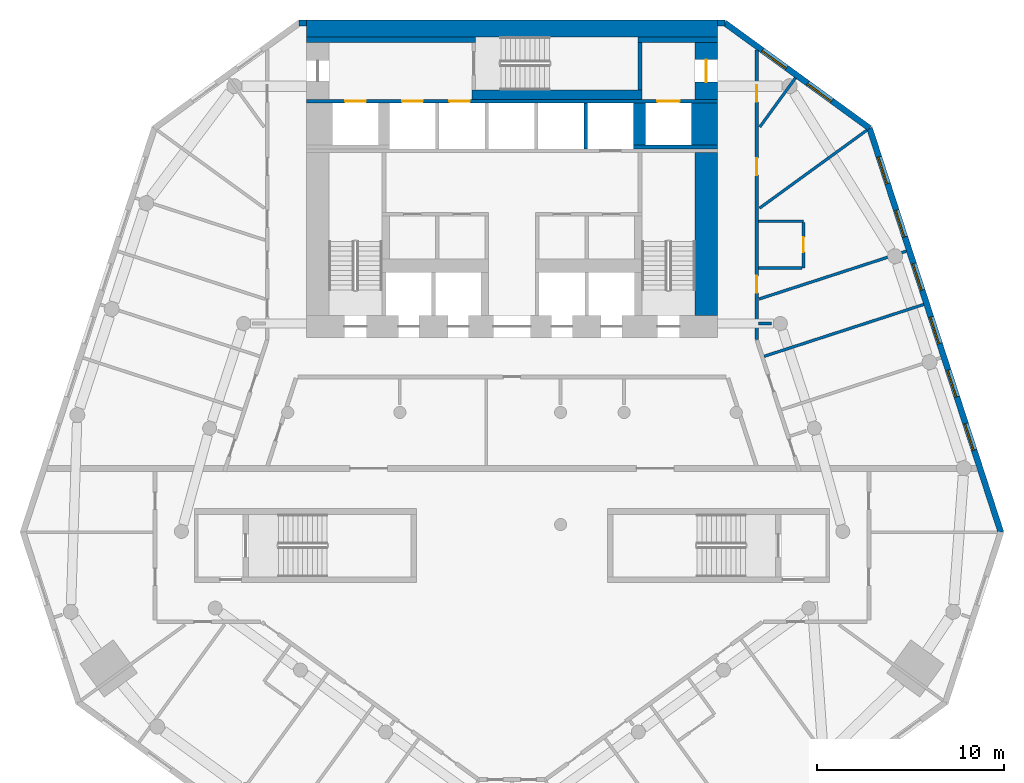
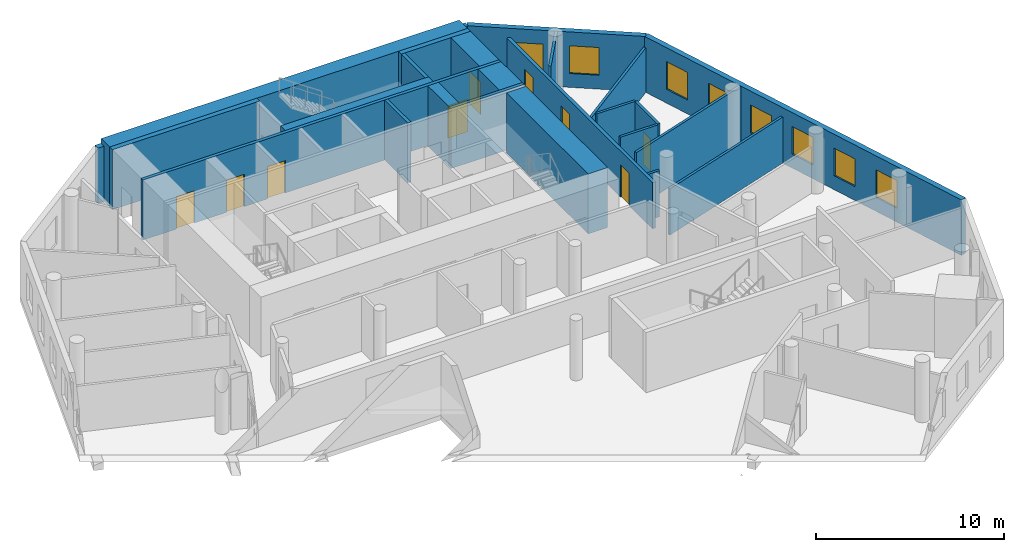
# One storey, part 6 of 9: 25 walls, 9 doors, 8 windows, 17 openings.
"""IFC4 building model written with IfcOpenShell, lengths in metres."""

from ifc_helpers import new_model, si_unit, direction, frame, frame_2d, origin, place, context, subcontext, project, spatial, rectangle, extrude, material, layer, layer_set, type_object, element, fill, save


model = new_model("IFC4")

# Units and contexts
model_context = context("Model", 3, precision=1e-05, world=origin(), true_north=direction((0.0, 1.0)))
body_context = subcontext(model_context, "Body", "Model", "MODEL_VIEW")
ifc_project = project(units=[si_unit("LENGTHUNIT", "METRE"), si_unit("AREAUNIT", "SQUARE_METRE"), si_unit("VOLUMEUNIT", "CUBIC_METRE"), si_unit("PLANEANGLEUNIT", "RADIAN"), si_unit("MASSUNIT", "GRAM", prefix="KILO")], contexts=[model_context])

# Site, building, storey
site_placement = place(None, origin())
site = spatial("IfcSite", under=ifc_project, at=site_placement, CompositionType="ELEMENT")
building_placement = place(site_placement, origin())
building = spatial("IfcBuilding", under=site, at=building_placement, Name="White Candle Pilgrim Tower", CompositionType="ELEMENT")
storey_placement = place(building_placement, frame((0.0, 0.0, 50.699951171875)))
storey = spatial("IfcBuildingStorey", under=building, at=storey_placement, Name="L09", CompositionType="ELEMENT", Elevation=50.699951171875)

# Wall, opening, door
ifc_material_1 = material(Name="Concrete C70/85", Category="concrete")
ifc_layer_1 = layer(ifc_material_1, 1.199951171875)
ifc_layer_set_1 = layer_set([ifc_layer_1], Name="Core wall 1200 mm Concrete C70/85")
wall_type_1 = type_object("IfcWallType", Name="Core wall 1200 mm Concrete C70/85", PredefinedType="SHEAR", material=ifc_layer_set_1)
wall_1_placement = place(storey_placement, frame((80.39990234375, 83.75, 0.0), z_axis=(0.0, 0.0, 1.0), x_axis=(0.0, 1.0, 0.0)))
wall_1 = element("IfcWall", 1, at=wall_1_placement, inside=storey, type_object=wall_type_1, Name="WL-L09-C46", PredefinedType="SHEAR", context=body_context, shape_type="SweptSolid", body=[
    extrude(rectangle(XDim=3.050048828125, YDim=1.199951171875, at=frame_2d((1.52490234375, 0.0))), origin(), (0.0, 0.0, 1.0), 3.900146484375),
])
opening_1_placement = place(wall_1_placement, frame((0.925048828125, 0.0, 0.0)))
opening_1 = element("IfcOpeningElement", 2, at=opening_1_placement, cuts=wall_1, Name="Opening T02-006", PredefinedType="OPENING", context=body_context, shape_type="SweptSolid", body=[
    extrude(rectangle(XDim=1.199951171875, YDim=2.10009765625, at=frame_2d((0.60009765625, 1.050048828125))), frame((0.0, 0.60986328125, 0.0), z_axis=(0.0, -1.0, 0.0), x_axis=(1.0, 0.0, 0.0)), (0.0, 0.0, 1.0), 1.219970703125),
])
ifc_material_2 = material(Name="Steel door leaf", Category="steel")
door_type_1 = type_object("IfcDoorType", Name="Fire door 1200 x 2100 EI 30", OperationType="NOTDEFINED", PredefinedType="DOOR", material=ifc_material_2)
door_1_placement = place(opening_1_placement, origin())
door_1 = element("IfcDoor", 3, at=door_1_placement, inside=storey, type_object=door_type_1, Name="Door T02-006", OperationType="SINGLE_SWING_RIGHT", OverallHeight=2.10009765625, OverallWidth=1.199951171875, PredefinedType="DOOR", context=body_context, shape_type="SweptSolid", body=[
    extrude(rectangle(XDim=1.199951171875, YDim=2.10009765625, at=frame_2d((0.60009765625, 1.050048828125))), frame((0.0, 0.02490234375, 0.0), z_axis=(0.0, -1.0, 0.0), x_axis=(1.0, 0.0, 0.0)), (0.0, 0.0, 1.0), 0.050048828125),
])
fill(opening_1, door_1)

# Walls
ifc_layer_2 = layer(ifc_material_1, 1.39990234375)
ifc_layer_set_2 = layer_set([ifc_layer_2], Name="Core wall 1400 mm Concrete C70/85")
wall_type_2 = type_object("IfcWallType", Name="Core wall 1400 mm Concrete C70/85", PredefinedType="SHEAR", material=ifc_layer_set_2)
wall_2_placement = place(storey_placement, frame((80.300048828125, 81.300048828125, 0.0), z_axis=(0.0, 0.0, 1.0), x_axis=(0.0, 1.0, 0.0)))
element("IfcWall", 4, at=wall_2_placement, inside=storey, type_object=wall_type_2, Name="WL-L09-C42", PredefinedType="SHEAR", context=body_context, shape_type="SweptSolid", body=[
    extrude(rectangle(XDim=2.25, YDim=1.39990234375, at=frame_2d((1.125, 0.0))), origin(), (0.0, 0.0, 1.0), 3.900146484375),
])
ifc_layer_3 = layer(ifc_material_1, 0.199951171875)
ifc_layer_set_3 = layer_set([ifc_layer_3], Name="Core wall 200 mm Concrete C70/85")
wall_type_3 = type_object("IfcWallType", Name="Core wall 200 mm Concrete C70/85", PredefinedType="SHEAR", material=ifc_layer_set_3)
wall_3_placement = place(storey_placement, frame((76.5, 81.199951171875, 0.0), z_axis=(0.0, 0.0, 1.0), x_axis=(1.0, 0.0, 0.0)))
element("IfcWall", 5, at=wall_3_placement, inside=storey, type_object=wall_type_3, Name="WL-L09-C38", PredefinedType="SHEAR", context=body_context, shape_type="SweptSolid", body=[
    extrude(rectangle(XDim=4.5, YDim=0.199951171875, at=frame_2d((2.25, 0.0))), origin(), (0.0, 0.0, 1.0), 3.900146484375),
])

# Wall, openings, doors
wall_4_placement = place(storey_placement, frame((59.0, 83.64990234375, 0.0), z_axis=(0.0, 0.0, 1.0), x_axis=(1.0, 0.0, 0.0)))
wall_4 = element("IfcWall", 6, at=wall_4_placement, inside=storey, type_object=wall_type_3, Name="WL-L09-C43", PredefinedType="SHEAR", context=body_context, shape_type="SweptSolid", body=[
    extrude(rectangle(XDim=22.0, YDim=0.199951171875, at=frame_2d((11.0, 0.0))), origin(), (0.0, 0.0, 1.0), 3.900146484375),
])
opening_2_placement = place(wall_4_placement, frame((5.125, 0.0, 0.0)))
opening_2 = element("IfcOpeningElement", 7, at=opening_2_placement, cuts=wall_4, Name="Opening T02-011", PredefinedType="OPENING", context=body_context, shape_type="SweptSolid", body=[
    extrude(rectangle(XDim=1.10009765625, YDim=2.10009765625, at=frame_2d((0.550048828125, 1.050048828125))), frame((0.0, 0.10986328125, 0.0), z_axis=(0.0, -1.0, 0.0), x_axis=(1.0, 0.0, 0.0)), (0.0, 0.0, 1.0), 0.219970703125),
])
opening_3_placement = place(wall_4_placement, frame((7.64990234375, 0.0, 0.0)))
opening_3 = element("IfcOpeningElement", 8, at=opening_3_placement, cuts=wall_4, Name="Opening T02-012", PredefinedType="OPENING", context=body_context, shape_type="SweptSolid", body=[
    extrude(rectangle(XDim=1.10009765625, YDim=2.10009765625, at=frame_2d((0.550048828125, 1.050048828125))), frame((0.0, 0.10986328125, 0.0), z_axis=(0.0, -1.0, 0.0), x_axis=(1.0, 0.0, 0.0)), (0.0, 0.0, 1.0), 0.219970703125),
])
opening_4_placement = place(wall_4_placement, frame((18.77490234375, 0.0, 0.0)))
opening_4 = element("IfcOpeningElement", 9, at=opening_4_placement, cuts=wall_4, Name="Opening T02-018", PredefinedType="OPENING", context=body_context, shape_type="SweptSolid", body=[
    extrude(rectangle(XDim=1.199951171875, YDim=2.10009765625, at=frame_2d((0.60009765625, 1.050048828125))), frame((0.0, 0.10986328125, 0.0), z_axis=(0.0, -1.0, 0.0), x_axis=(1.0, 0.0, 0.0)), (0.0, 0.0, 1.0), 0.219970703125),
])
opening_5_placement = place(wall_4_placement, frame((2.074951171875, 0.0, 0.0)))
opening_5 = element("IfcOpeningElement", 10, at=opening_5_placement, cuts=wall_4, Name="Opening T02-019", PredefinedType="OPENING", context=body_context, shape_type="SweptSolid", body=[
    extrude(rectangle(XDim=1.10009765625, YDim=2.10009765625, at=frame_2d((0.550048828125, 1.050048828125))), frame((0.0, 0.10986328125, 0.0), z_axis=(0.0, -1.0, 0.0), x_axis=(1.0, 0.0, 0.0)), (0.0, 0.0, 1.0), 0.219970703125),
])
ifc_material_3 = material(Name="Stainless steel", Category="steel")
door_type_2 = type_object("IfcDoorType", Name="Lift landing door 1100 x 2100 EI 60", OperationType="DOUBLE_DOOR_SLIDING", PredefinedType="DOOR", material=ifc_material_3)
door_2_placement = place(opening_2_placement, origin())
door_2 = element("IfcDoor", 11, at=door_2_placement, inside=storey, type_object=door_type_2, Name="Door T02-011", OperationType="DOUBLE_DOOR_SLIDING", OverallHeight=2.10009765625, OverallWidth=1.10009765625, PredefinedType="DOOR", context=body_context, shape_type="SweptSolid", body=[
    extrude(rectangle(XDim=1.10009765625, YDim=2.10009765625, at=frame_2d((0.550048828125, 1.050048828125))), frame((0.0, 0.02490234375, 0.0), z_axis=(0.0, -1.0, 0.0), x_axis=(1.0, 0.0, 0.0)), (0.0, 0.0, 1.0), 0.050048828125),
])
fill(opening_2, door_2)
door_3_placement = place(opening_3_placement, origin())
door_3 = element("IfcDoor", 12, at=door_3_placement, inside=storey, type_object=door_type_2, Name="Door T02-012", OperationType="DOUBLE_DOOR_SLIDING", OverallHeight=2.10009765625, OverallWidth=1.10009765625, PredefinedType="DOOR", context=body_context, shape_type="SweptSolid", body=[
    extrude(rectangle(XDim=1.10009765625, YDim=2.10009765625, at=frame_2d((0.550048828125, 1.050048828125))), frame((0.0, 0.02490234375, 0.0), z_axis=(0.0, -1.0, 0.0), x_axis=(1.0, 0.0, 0.0)), (0.0, 0.0, 1.0), 0.050048828125),
])
fill(opening_3, door_3)
door_4_placement = place(opening_5_placement, origin())
door_4 = element("IfcDoor", 13, at=door_4_placement, inside=storey, type_object=door_type_2, Name="Door T02-019", OperationType="DOUBLE_DOOR_SLIDING", OverallHeight=2.10009765625, OverallWidth=1.10009765625, PredefinedType="DOOR", context=body_context, shape_type="SweptSolid", body=[
    extrude(rectangle(XDim=1.10009765625, YDim=2.10009765625, at=frame_2d((0.550048828125, 1.050048828125))), frame((0.0, 0.02490234375, 0.0), z_axis=(0.0, -1.0, 0.0), x_axis=(1.0, 0.0, 0.0)), (0.0, 0.0, 1.0), 0.050048828125),
])
fill(opening_5, door_4)
door_type_3 = type_object("IfcDoorType", Name="Lift landing door 1200 x 2100 E 60", OperationType="DOUBLE_DOOR_SLIDING", PredefinedType="DOOR", material=ifc_material_3)
door_5_placement = place(opening_4_placement, origin())
door_5 = element("IfcDoor", 14, at=door_5_placement, inside=storey, type_object=door_type_3, Name="Door T02-018", OperationType="DOUBLE_DOOR_SLIDING", OverallHeight=2.10009765625, OverallWidth=1.199951171875, PredefinedType="DOOR", context=body_context, shape_type="SweptSolid", body=[
    extrude(rectangle(XDim=1.199951171875, YDim=2.10009765625, at=frame_2d((0.60009765625, 1.050048828125))), frame((0.0, 0.02490234375, 0.0), z_axis=(0.0, -1.0, 0.0), x_axis=(1.0, 0.0, 0.0)), (0.0, 0.0, 1.0), 0.050048828125),
])
fill(opening_4, door_5)

ifc_material_4 = material(Name="Gypsum board on steel studs", Category="steel")
ifc_layer_4 = layer(ifc_material_4, 0.199951171875)
ifc_layer_set_4 = layer_set([ifc_layer_4], Name="Corridor wall 200 mm EI 45")
wall_type_4 = type_object("IfcWallType", Name="Corridor wall 200 mm EI 45", PredefinedType="PARTITIONING", material=ifc_layer_set_4)
wall_5_placement = place(storey_placement, frame((83.10009765625, 86.396240234375, 0.0), z_axis=(0.0, 0.0, 1.0), x_axis=(0.0, -1.0, 0.0)))
wall_5 = element("IfcWall", 15, at=wall_5_placement, inside=storey, type_object=wall_type_4, Name="WL-L09-P004", PredefinedType="PARTITIONING", context=body_context, shape_type="SweptSolid", body=[
    extrude(rectangle(XDim=15.498779296875, YDim=0.199951171875, at=frame_2d((7.74951171875, 0.0))), origin(), (0.0, 0.0, 1.0), 3.0),
])
opening_6_placement = place(wall_5_placement, frame((1.874755859375, 0.0, 0.0)))
opening_6 = element("IfcOpeningElement", 16, at=opening_6_placement, cuts=wall_5, Name="Opening T02-127", PredefinedType="OPENING", context=body_context, shape_type="SweptSolid", body=[
    extrude(rectangle(XDim=0.89990234375, YDim=2.10009765625, at=frame_2d((0.449951171875, 1.050048828125))), frame((0.0, 0.10986328125, 0.0), z_axis=(0.0, -1.0, 0.0), x_axis=(1.0, 0.0, 0.0)), (0.0, 0.0, 1.0), 0.219970703125),
])
opening_7_placement = place(wall_5_placement, frame((5.79248046875, 0.0, 0.0)))
opening_7 = element("IfcOpeningElement", 17, at=opening_7_placement, cuts=wall_5, Name="Opening T02-128", PredefinedType="OPENING", context=body_context, shape_type="SweptSolid", body=[
    extrude(rectangle(XDim=0.89990234375, YDim=2.10009765625, at=frame_2d((0.449951171875, 1.050048828125))), frame((0.0, 0.10986328125, 0.0), z_axis=(0.0, -1.0, 0.0), x_axis=(1.0, 0.0, 0.0)), (0.0, 0.0, 1.0), 0.219970703125),
])
opening_8_placement = place(wall_5_placement, frame((12.094482421875, 0.0, 0.0)))
opening_8 = element("IfcOpeningElement", 18, at=opening_8_placement, cuts=wall_5, Name="Opening T02-129", PredefinedType="OPENING", context=body_context, shape_type="SweptSolid", body=[
    extrude(rectangle(XDim=0.89990234375, YDim=2.10009765625, at=frame_2d((0.449951171875, 1.050048828125))), frame((0.0, 0.10986328125, 0.0), z_axis=(0.0, -1.0, 0.0), x_axis=(1.0, 0.0, 0.0)), (0.0, 0.0, 1.0), 0.219970703125),
])
door_type_4 = type_object("IfcDoorType", Name="Fire door 900 x 2100 EI 30", OperationType="NOTDEFINED", PredefinedType="DOOR", material=ifc_material_2)
door_6_placement = place(opening_6_placement, origin())
door_6 = element("IfcDoor", 19, at=door_6_placement, inside=storey, type_object=door_type_4, Name="Door T02-127", OperationType="SINGLE_SWING_LEFT", OverallHeight=2.10009765625, OverallWidth=0.89990234375, PredefinedType="DOOR", context=body_context, shape_type="SweptSolid", body=[
    extrude(rectangle(XDim=0.89990234375, YDim=2.10009765625, at=frame_2d((0.449951171875, 1.050048828125))), frame((0.0, 0.02490234375, 0.0), z_axis=(0.0, -1.0, 0.0), x_axis=(1.0, 0.0, 0.0)), (0.0, 0.0, 1.0), 0.050048828125),
])
fill(opening_6, door_6)
door_7_placement = place(opening_7_placement, origin())
door_7 = element("IfcDoor", 20, at=door_7_placement, inside=storey, type_object=door_type_4, Name="Door T02-128", OperationType="SINGLE_SWING_RIGHT", OverallHeight=2.10009765625, OverallWidth=0.89990234375, PredefinedType="DOOR", context=body_context, shape_type="SweptSolid", body=[
    extrude(rectangle(XDim=0.89990234375, YDim=2.10009765625, at=frame_2d((0.449951171875, 1.050048828125))), frame((0.0, 0.02490234375, 0.0), z_axis=(0.0, -1.0, 0.0), x_axis=(1.0, 0.0, 0.0)), (0.0, 0.0, 1.0), 0.050048828125),
])
fill(opening_7, door_7)
door_8_placement = place(opening_8_placement, origin())
door_8 = element("IfcDoor", 21, at=door_8_placement, inside=storey, type_object=door_type_4, Name="Door T02-129", OperationType="SINGLE_SWING_LEFT", OverallHeight=2.10009765625, OverallWidth=0.89990234375, PredefinedType="DOOR", context=body_context, shape_type="SweptSolid", body=[
    extrude(rectangle(XDim=0.89990234375, YDim=2.10009765625, at=frame_2d((0.449951171875, 1.050048828125))), frame((0.0, 0.02490234375, 0.0), z_axis=(0.0, -1.0, 0.0), x_axis=(1.0, 0.0, 0.0)), (0.0, 0.0, 1.0), 0.050048828125),
])
fill(opening_8, door_8)

# Wall, openings, windows
ifc_material_5 = material(Name="Precast concrete C40/50", Category="concrete")
ifc_layer_5 = layer(ifc_material_5, 0.320068359375)
ifc_layer_set_5 = layer_set([ifc_layer_5], Name="Facade wall EW1 precast concrete C40/50 pier wall with timber-lined reveals")
wall_type_5 = type_object("IfcWallType", Name="Facade wall EW1 precast concrete C40/50 pier wall with timber-lined reveals", PredefinedType="SOLIDWALL", material=ifc_layer_set_5)
wall_6_placement = place(storey_placement, frame((96.1591796875, 60.59130859375, 0.0), z_axis=(0.0, 0.0, 1.0), x_axis=(-0.309017098694, 0.9510564824, 0.0)))
wall_6 = element("IfcWall", 22, at=wall_6_placement, inside=storey, type_object=wall_type_5, Name="Facade wall L09 ENE", PredefinedType="SOLIDWALL", context=body_context, shape_type="SweptSolid", body=[
    extrude(rectangle(XDim=22.730712890625, YDim=0.320068359375, at=frame_2d((11.365234375, 0.0))), origin(), (0.0, 0.0, 1.0), 3.60009765625),
])
opening_9_placement = place(wall_6_placement, frame((4.615478515625, 0.0, 0.89990234375)))
opening_9 = element("IfcOpeningElement", 23, at=opening_9_placement, cuts=wall_6, Name="Opening W1", PredefinedType="OPENING", context=body_context, shape_type="SweptSolid", body=[
    extrude(rectangle(XDim=1.5, YDim=1.800048828125, at=frame_2d((0.75, 0.89990234375))), frame((0.0, 0.169921875, 0.0), z_axis=(0.0, -1.0, 0.0), x_axis=(1.0, 0.0, 0.0)), (0.0, 0.0, 1.0), 0.340087890625),
])
opening_10_placement = place(wall_6_placement, frame((7.615478515625, 0.0, 0.89990234375)))
opening_10 = element("IfcOpeningElement", 24, at=opening_10_placement, cuts=wall_6, Name="Opening W1", PredefinedType="OPENING", context=body_context, shape_type="SweptSolid", body=[
    extrude(rectangle(XDim=1.5, YDim=1.800048828125, at=frame_2d((0.75, 0.89990234375))), frame((0.0, 0.169921875, 0.0), z_axis=(0.0, -1.0, 0.0), x_axis=(1.0, 0.0, 0.0)), (0.0, 0.0, 1.0), 0.340087890625),
])
opening_11_placement = place(wall_6_placement, frame((10.615478515625, 0.0, 0.89990234375)))
opening_11 = element("IfcOpeningElement", 25, at=opening_11_placement, cuts=wall_6, Name="Opening W1", PredefinedType="OPENING", context=body_context, shape_type="SweptSolid", body=[
    extrude(rectangle(XDim=1.5, YDim=1.800048828125, at=frame_2d((0.75, 0.89990234375))), frame((0.0, 0.169921875, 0.0), z_axis=(0.0, -1.0, 0.0), x_axis=(1.0, 0.0, 0.0)), (0.0, 0.0, 1.0), 0.340087890625),
])
opening_12_placement = place(wall_6_placement, frame((13.615478515625, 0.0, 0.89990234375)))
opening_12 = element("IfcOpeningElement", 26, at=opening_12_placement, cuts=wall_6, Name="Opening W1", PredefinedType="OPENING", context=body_context, shape_type="SweptSolid", body=[
    extrude(rectangle(XDim=1.5, YDim=1.800048828125, at=frame_2d((0.75, 0.89990234375))), frame((0.0, 0.169921875, 0.0), z_axis=(0.0, -1.0, 0.0), x_axis=(1.0, 0.0, 0.0)), (0.0, 0.0, 1.0), 0.340087890625),
])
opening_13_placement = place(wall_6_placement, frame((16.615478515625, 0.0, 0.89990234375)))
opening_13 = element("IfcOpeningElement", 27, at=opening_13_placement, cuts=wall_6, Name="Opening W1", PredefinedType="OPENING", context=body_context, shape_type="SweptSolid", body=[
    extrude(rectangle(XDim=1.5, YDim=1.800048828125, at=frame_2d((0.75, 0.89990234375))), frame((0.0, 0.169921875, 0.0), z_axis=(0.0, -1.0, 0.0), x_axis=(1.0, 0.0, 0.0)), (0.0, 0.0, 1.0), 0.340087890625),
])
opening_14_placement = place(wall_6_placement, frame((19.615478515625, 0.0, 0.89990234375)))
opening_14 = element("IfcOpeningElement", 28, at=opening_14_placement, cuts=wall_6, Name="Opening W1", PredefinedType="OPENING", context=body_context, shape_type="SweptSolid", body=[
    extrude(rectangle(XDim=1.5, YDim=1.800048828125, at=frame_2d((0.75, 0.89990234375))), frame((0.0, 0.169921875, 0.0), z_axis=(0.0, -1.0, 0.0), x_axis=(1.0, 0.0, 0.0)), (0.0, 0.0, 1.0), 0.340087890625),
])
ifc_material_6 = material(Name="Timber frame with triple glazing", Category="wood")
window_type_1 = type_object("IfcWindowType", Name="Window W1 1500x1800 timber frame triple glazing", PartitioningType="SINGLE_PANEL", PredefinedType="WINDOW", material=ifc_material_6)
window_1_placement = place(opening_9_placement, origin())
window_1 = element("IfcWindow", 29, at=window_1_placement, inside=storey, type_object=window_type_1, Name="Window W1 L09 ENE 2", OverallHeight=1.800048828125, OverallWidth=1.5, PartitioningType="SINGLE_PANEL", PredefinedType="WINDOW", context=body_context, shape_type="SweptSolid", body=[
    extrude(rectangle(XDim=1.5, YDim=1.800048828125, at=frame_2d((0.75, 0.89990234375))), frame((0.0, 0.070068359375, 0.0), z_axis=(0.0, -1.0, 0.0), x_axis=(1.0, 0.0, 0.0)), (0.0, 0.0, 1.0), 0.06005859375),
])
fill(opening_9, window_1)
window_2_placement = place(opening_10_placement, origin())
window_2 = element("IfcWindow", 30, at=window_2_placement, inside=storey, type_object=window_type_1, Name="Window W1 L09 ENE 3", OverallHeight=1.800048828125, OverallWidth=1.5, PartitioningType="SINGLE_PANEL", PredefinedType="WINDOW", context=body_context, shape_type="SweptSolid", body=[
    extrude(rectangle(XDim=1.5, YDim=1.800048828125, at=frame_2d((0.75, 0.89990234375))), frame((0.0, 0.070068359375, 0.0), z_axis=(0.0, -1.0, 0.0), x_axis=(1.0, 0.0, 0.0)), (0.0, 0.0, 1.0), 0.06005859375),
])
fill(opening_10, window_2)
window_3_placement = place(opening_11_placement, origin())
window_3 = element("IfcWindow", 31, at=window_3_placement, inside=storey, type_object=window_type_1, Name="Window W1 L09 ENE 4", OverallHeight=1.800048828125, OverallWidth=1.5, PartitioningType="SINGLE_PANEL", PredefinedType="WINDOW", context=body_context, shape_type="SweptSolid", body=[
    extrude(rectangle(XDim=1.5, YDim=1.800048828125, at=frame_2d((0.75, 0.89990234375))), frame((0.0, 0.070068359375, 0.0), z_axis=(0.0, -1.0, 0.0), x_axis=(1.0, 0.0, 0.0)), (0.0, 0.0, 1.0), 0.06005859375),
])
fill(opening_11, window_3)
window_4_placement = place(opening_12_placement, origin())
window_4 = element("IfcWindow", 32, at=window_4_placement, inside=storey, type_object=window_type_1, Name="Window W1 L09 ENE 5", OverallHeight=1.800048828125, OverallWidth=1.5, PartitioningType="SINGLE_PANEL", PredefinedType="WINDOW", context=body_context, shape_type="SweptSolid", body=[
    extrude(rectangle(XDim=1.5, YDim=1.800048828125, at=frame_2d((0.75, 0.89990234375))), frame((0.0, 0.070068359375, 0.0), z_axis=(0.0, -1.0, 0.0), x_axis=(1.0, 0.0, 0.0)), (0.0, 0.0, 1.0), 0.06005859375),
])
fill(opening_12, window_4)
window_5_placement = place(opening_13_placement, origin())
window_5 = element("IfcWindow", 33, at=window_5_placement, inside=storey, type_object=window_type_1, Name="Window W1 L09 ENE 6", OverallHeight=1.800048828125, OverallWidth=1.5, PartitioningType="SINGLE_PANEL", PredefinedType="WINDOW", context=body_context, shape_type="SweptSolid", body=[
    extrude(rectangle(XDim=1.5, YDim=1.800048828125, at=frame_2d((0.75, 0.89990234375))), frame((0.0, 0.070068359375, 0.0), z_axis=(0.0, -1.0, 0.0), x_axis=(1.0, 0.0, 0.0)), (0.0, 0.0, 1.0), 0.06005859375),
])
fill(opening_13, window_5)
window_6_placement = place(opening_14_placement, origin())
window_6 = element("IfcWindow", 34, at=window_6_placement, inside=storey, type_object=window_type_1, Name="Window W1 L09 ENE 7", OverallHeight=1.800048828125, OverallWidth=1.5, PartitioningType="SINGLE_PANEL", PredefinedType="WINDOW", context=body_context, shape_type="SweptSolid", body=[
    extrude(rectangle(XDim=1.5, YDim=1.800048828125, at=frame_2d((0.75, 0.89990234375))), frame((0.0, 0.070068359375, 0.0), z_axis=(0.0, -1.0, 0.0), x_axis=(1.0, 0.0, 0.0)), (0.0, 0.0, 1.0), 0.06005859375),
])
fill(opening_14, window_6)

wall_7_placement = place(storey_placement, frame((89.135009765625, 82.20947265625, 0.0), z_axis=(0.0, 0.0, 1.0), x_axis=(-0.809021430096, 0.587779146998, 0.0)))
wall_7 = element("IfcWall", 35, at=wall_7_placement, inside=storey, type_object=wall_type_5, Name="Facade wall L09 NE chamfer", PredefinedType="SOLIDWALL", context=body_context, shape_type="SweptSolid", body=[
    extrude(rectangle(XDim=9.57958984375, YDim=0.320068359375, at=frame_2d((4.789794921875, 0.0))), origin(), (0.0, 0.0, 1.0), 3.60009765625),
])
opening_15_placement = place(wall_7_placement, frame((2.48974609375, 0.0, 0.89990234375)))
opening_15 = element("IfcOpeningElement", 36, at=opening_15_placement, cuts=wall_7, Name="Opening W2", PredefinedType="OPENING", context=body_context, shape_type="SweptSolid", body=[
    extrude(rectangle(XDim=1.60009765625, YDim=1.800048828125, at=frame_2d((0.800048828125, 0.89990234375))), frame((0.0, 0.169921875, 0.0), z_axis=(0.0, -1.0, 0.0), x_axis=(1.0, 0.0, 0.0)), (0.0, 0.0, 1.0), 0.340087890625),
])
opening_16_placement = place(wall_7_placement, frame((5.48974609375, 0.0, 0.89990234375)))
opening_16 = element("IfcOpeningElement", 37, at=opening_16_placement, cuts=wall_7, Name="Opening W2", PredefinedType="OPENING", context=body_context, shape_type="SweptSolid", body=[
    extrude(rectangle(XDim=1.60009765625, YDim=1.800048828125, at=frame_2d((0.800048828125, 0.89990234375))), frame((0.0, 0.169921875, 0.0), z_axis=(0.0, -1.0, 0.0), x_axis=(1.0, 0.0, 0.0)), (0.0, 0.0, 1.0), 0.340087890625),
])
window_type_2 = type_object("IfcWindowType", Name="Window W2 1600x1800 timber frame triple glazing", PartitioningType="SINGLE_PANEL", PredefinedType="WINDOW", material=ifc_material_6)
window_7_placement = place(opening_15_placement, origin())
window_7 = element("IfcWindow", 38, at=window_7_placement, inside=storey, type_object=window_type_2, Name="Window W2 L09 NE chamfer 1", OverallHeight=1.800048828125, OverallWidth=1.60009765625, PartitioningType="SINGLE_PANEL", PredefinedType="WINDOW", context=body_context, shape_type="SweptSolid", body=[
    extrude(rectangle(XDim=1.60009765625, YDim=1.800048828125, at=frame_2d((0.800048828125, 0.89990234375))), frame((0.0, 0.070068359375, 0.0), z_axis=(0.0, -1.0, 0.0), x_axis=(1.0, 0.0, 0.0)), (0.0, 0.0, 1.0), 0.06005859375),
])
fill(opening_15, window_7)
window_8_placement = place(opening_16_placement, origin())
window_8 = element("IfcWindow", 39, at=window_8_placement, inside=storey, type_object=window_type_2, Name="Window W2 L09 NE chamfer 2", OverallHeight=1.800048828125, OverallWidth=1.60009765625, PartitioningType="SINGLE_PANEL", PredefinedType="WINDOW", context=body_context, shape_type="SweptSolid", body=[
    extrude(rectangle(XDim=1.60009765625, YDim=1.800048828125, at=frame_2d((0.800048828125, 0.89990234375))), frame((0.0, 0.070068359375, 0.0), z_axis=(0.0, -1.0, 0.0), x_axis=(1.0, 0.0, 0.0)), (0.0, 0.0, 1.0), 0.06005859375),
])
fill(opening_16, window_8)

# Walls
for number, where, z_axis, x_axis, name in (
    (40, (81.385009765625, 87.840087890625, 0.0), (0.0, 0.0, 1.0), (-1.0, 0.0, 0.0), "Facade wall L09 N"),
    (41, (59.0, 87.840087890625, 0.0), (0.0, 0.0, 1.0), (-1.0, 0.0, 0.0), "Facade wall L09 N"),
):
    element("IfcWall", number, at=place(storey_placement, frame(where, z_axis=z_axis, x_axis=x_axis)), inside=storey, type_object=wall_type_5, Name=name, PredefinedType="SOLIDWALL", context=body_context, shape_type="SweptSolid", body=[
        extrude(rectangle(XDim=0.385009765625, YDim=0.320068359375, at=frame_2d((0.1923828125, 0.0))), origin(), (0.0, 0.0, 1.0), 3.60009765625),
    ])
ifc_layer_6 = layer(ifc_material_4, 0.14990234375)
ifc_layer_set_6 = layer_set([ifc_layer_6], Name="Partition 150 mm EI 60")
wall_type_6 = type_object("IfcWallType", Name="Partition 150 mm EI 60", PredefinedType="PARTITIONING", material=ifc_layer_set_6)
wall_8_placement = place(storey_placement, frame((88.998779296875, 82.110595703125, 0.0), z_axis=(0.0, 0.0, 1.0), x_axis=(-0.809006123185, -0.587800214911, 0.0)))
element("IfcWall", 42, at=wall_8_placement, inside=storey, type_object=wall_type_6, Name="WL-L09-P023", PredefinedType="PARTITIONING", context=body_context, shape_type="SweptSolid", body=[
    extrude(rectangle(XDim=7.11328125, YDim=0.14990234375, at=frame_2d((3.556640625, 0.0))), origin(), (0.0, 0.0, 1.0), 2.900146484375),
])
wall_9_placement = place(storey_placement, frame((92.03125, 72.777587890625, 0.0), z_axis=(0.0, 0.0, 1.0), x_axis=(-0.951051249243, -0.309033204224, 0.0)))
element("IfcWall", 43, at=wall_9_placement, inside=storey, type_object=wall_type_6, Name="WL-L09-P042", PredefinedType="PARTITIONING", context=body_context, shape_type="SweptSolid", body=[
    extrude(rectangle(XDim=8.97998046875, YDim=0.14990234375, at=frame_2d((4.489990234375, 0.0))), origin(), (0.0, 0.0, 1.0), 3.0),
])
wall_10_placement = place(storey_placement, frame((91.104248046875, 75.630615234375, 0.0), z_axis=(0.0, 0.0, 1.0), x_axis=(-0.95105420195, -0.309024117105, 0.0)))
element("IfcWall", 44, at=wall_10_placement, inside=storey, type_object=wall_type_6, Name="WL-L09-P043", PredefinedType="PARTITIONING", context=body_context, shape_type="SweptSolid", body=[
    extrude(rectangle(XDim=8.28662109375, YDim=0.14990234375, at=frame_2d((4.143310546875, 0.0))), origin(), (0.0, 0.0, 1.0), 3.60009765625),
])
wall_11_placement = place(storey_placement, frame((83.199951171875, 77.22998046875, 0.0), z_axis=(0.0, 0.0, 1.0), x_axis=(1.0, 0.0, 0.0)))
element("IfcWall", 45, at=wall_11_placement, inside=storey, type_object=wall_type_6, Name="WL-L09-P044", PredefinedType="PARTITIONING", context=body_context, shape_type="SweptSolid", body=[
    extrude(rectangle(XDim=2.400146484375, YDim=0.14990234375, at=frame_2d((1.2001953125, 0.0))), origin(), (0.0, 0.0, 1.0), 3.60009765625),
])

# Wall, opening, door
wall_12_placement = place(storey_placement, frame((85.60009765625, 74.72998046875, 0.0), z_axis=(0.0, 0.0, 1.0), x_axis=(0.0, 1.0, 0.0)))
wall_12 = element("IfcWall", 46, at=wall_12_placement, inside=storey, type_object=wall_type_6, Name="WL-L09-P045", PredefinedType="PARTITIONING", context=body_context, shape_type="SweptSolid", body=[
    extrude(rectangle(XDim=2.4248046875, YDim=0.14990234375, at=frame_2d((1.21240234375, 0.0))), origin(), (0.0, 0.0, 1.0), 3.60009765625),
])
opening_17_placement = place(wall_12_placement, frame((0.85009765625, 0.0, 0.0)))
opening_17 = element("IfcOpeningElement", 47, at=opening_17_placement, cuts=wall_12, Name="Opening T02-116", PredefinedType="OPENING", context=body_context, shape_type="SweptSolid", body=[
    extrude(rectangle(XDim=0.800048828125, YDim=2.10009765625, at=frame_2d((0.39990234375, 1.050048828125))), frame((0.0, 0.0849609375, 0.0), z_axis=(0.0, -1.0, 0.0), x_axis=(1.0, 0.0, 0.0)), (0.0, 0.0, 1.0), 0.169921875),
])
door_type_5 = type_object("IfcDoorType", Name="Fire door 800 x 2100 EI 30", OperationType="NOTDEFINED", PredefinedType="DOOR", material=ifc_material_2)
door_9_placement = place(opening_17_placement, frame((0.800048828125, 0.0, 0.0), z_axis=(0.0, 0.0, 1.0), x_axis=(-1.0, 0.0, 0.0)))
door_9 = element("IfcDoor", 48, at=door_9_placement, inside=storey, type_object=door_type_5, Name="Door T02-116", OperationType="SINGLE_SWING_LEFT", OverallHeight=2.10009765625, OverallWidth=0.800048828125, PredefinedType="DOOR", context=body_context, shape_type="SweptSolid", body=[
    extrude(rectangle(XDim=0.800048828125, YDim=2.10009765625, at=frame_2d((0.39990234375, 1.050048828125))), frame((0.0, 0.02490234375, 0.0), z_axis=(0.0, -1.0, 0.0), x_axis=(1.0, 0.0, 0.0)), (0.0, 0.0, 1.0), 0.050048828125),
])
fill(opening_17, door_9)

# Walls
wall_13_placement = place(storey_placement, frame((83.199951171875, 74.72998046875, 0.0), z_axis=(0.0, 0.0, 1.0), x_axis=(1.0, 0.0, 0.0)))
element("IfcWall", 49, at=wall_13_placement, inside=storey, type_object=wall_type_6, Name="WL-L09-P046", PredefinedType="PARTITIONING", context=body_context, shape_type="SweptSolid", body=[
    extrude(rectangle(XDim=2.324951171875, YDim=0.14990234375, at=frame_2d((1.16259765625, 0.0))), origin(), (0.0, 0.0, 1.0), 3.60009765625),
])
wall_14_placement = place(storey_placement, frame((85.166015625, 84.895263671875, 0.0), z_axis=(0.0, 0.0, 1.0), x_axis=(-0.587795442354, -0.809009590764, 0.0)))
element("IfcWall", 50, at=wall_14_placement, inside=storey, type_object=wall_type_6, Name="WL-L09-P047", PredefinedType="PARTITIONING", context=body_context, shape_type="SweptSolid", body=[
    extrude(rectangle(XDim=3.241455078125, YDim=0.14990234375, at=frame_2d((1.62060546875, 0.0))), origin(), (0.0, 0.0, 1.0), 3.60009765625),
])
wall_15_placement = place(storey_placement, frame((83.89501953125, 71.7578125, 0.0), z_axis=(0.0, 0.0, 1.0), x_axis=(-1.0, 0.0, 0.0)))
element("IfcWall", 51, at=wall_15_placement, inside=storey, type_object=wall_type_6, Name="WL-L09-P055", PredefinedType="PARTITIONING", context=body_context, shape_type="SweptSolid", body=[
    extrude(rectangle(XDim=0.695068359375, YDim=0.14990234375, at=frame_2d((0.34765625, 0.0))), origin(), (0.0, 0.0, 1.0), 3.0),
])
ifc_layer_7 = layer(ifc_material_1, 0.199951171875)
ifc_layer_set_7 = layer_set([ifc_layer_7], Name="Shaft wall 200 mm Concrete C70/85")
wall_type_7 = type_object("IfcWallType", Name="Shaft wall 200 mm Concrete C70/85", PredefinedType="SHEAR", material=ifc_layer_set_7)
wall_16_placement = place(storey_placement, frame((73.949951171875, 81.10009765625, 0.0), z_axis=(0.0, 0.0, 1.0), x_axis=(0.0, 1.0, 0.0)))
element("IfcWall", 52, at=wall_16_placement, inside=storey, type_object=wall_type_7, Name="WL-L09-C37", PredefinedType="SHEAR", context=body_context, shape_type="SweptSolid", body=[
    extrude(rectangle(XDim=2.449951171875, YDim=0.199951171875, at=frame_2d((1.22509765625, 0.0))), origin(), (0.0, 0.0, 1.0), 3.900146484375),
])
ifc_layer_8 = layer(ifc_material_1, 0.64990234375)
ifc_layer_set_8 = layer_set([ifc_layer_8], Name="Shaft wall 650 mm Concrete C70/85")
wall_type_8 = type_object("IfcWallType", Name="Shaft wall 650 mm Concrete C70/85", PredefinedType="SHEAR", material=ifc_layer_set_8)
wall_17_placement = place(storey_placement, frame((76.824951171875, 81.300048828125, 0.0), z_axis=(0.0, 0.0, 1.0), x_axis=(0.0, 1.0, 0.0)))
element("IfcWall", 53, at=wall_17_placement, inside=storey, type_object=wall_type_8, Name="WL-L09-C41", PredefinedType="SHEAR", context=body_context, shape_type="SweptSolid", body=[
    extrude(rectangle(XDim=2.25, YDim=0.64990234375, at=frame_2d((1.125, 0.0))), origin(), (0.0, 0.0, 1.0), 3.900146484375),
])
ifc_layer_9 = layer(ifc_material_1, 1.199951171875)
ifc_layer_set_9 = layer_set([ifc_layer_9], Name="Stair shaft wall 1200 mm Concrete C70/85")
wall_type_9 = type_object("IfcWallType", Name="Stair shaft wall 1200 mm Concrete C70/85", PredefinedType="SHEAR", material=ifc_layer_set_9)
wall_18_placement = place(storey_placement, frame((80.39990234375, 72.199951171875, 0.0), z_axis=(0.0, 0.0, 1.0), x_axis=(0.0, 1.0, 0.0)))
element("IfcWall", 54, at=wall_18_placement, inside=storey, type_object=wall_type_9, Name="WL-L09-C19", PredefinedType="SHEAR", context=body_context, shape_type="SweptSolid", body=[
    extrude(rectangle(XDim=8.699951171875, YDim=1.199951171875, at=frame_2d((4.35009765625, 0.0))), origin(), (0.0, 0.0, 1.0), 3.900146484375),
])
ifc_layer_10 = layer(ifc_material_1, 0.199951171875)
ifc_layer_set_10 = layer_set([ifc_layer_10], Name="Stair shaft wall 200 mm Concrete C70/85")
wall_type_10 = type_object("IfcWallType", Name="Stair shaft wall 200 mm Concrete C70/85", PredefinedType="SHEAR", material=ifc_layer_set_10)
wall_19_placement = place(storey_placement, frame((76.85009765625, 84.25, 0.0), z_axis=(0.0, 0.0, 1.0), x_axis=(0.0, 1.0, 0.0)))
element("IfcWall", 55, at=wall_19_placement, inside=storey, type_object=wall_type_10, Name="WL-L09-C48", PredefinedType="SHEAR", context=body_context, shape_type="SweptSolid", body=[
    extrude(rectangle(XDim=2.550048828125, YDim=0.199951171875, at=frame_2d((1.27490234375, 0.0))), origin(), (0.0, 0.0, 1.0), 3.900146484375),
])
ifc_layer_11 = layer(ifc_material_1, 0.300048828125)
ifc_layer_set_11 = layer_set([ifc_layer_11], Name="Stair shaft wall 300 mm Concrete C70/85")
wall_type_11 = type_object("IfcWallType", Name="Stair shaft wall 300 mm Concrete C70/85", PredefinedType="SHEAR", material=ifc_layer_set_11)
wall_20_placement = place(storey_placement, frame((59.0, 86.949951171875, 0.0), z_axis=(0.0, 0.0, 1.0), x_axis=(1.0, 0.0, 0.0)))
element("IfcWall", 56, at=wall_20_placement, inside=storey, type_object=wall_type_11, Name="WL-L09-C49", PredefinedType="SHEAR", context=body_context, shape_type="SweptSolid", body=[
    extrude(rectangle(XDim=9.050048828125, YDim=0.300048828125, at=frame_2d((4.52490234375, 0.0))), origin(), (0.0, 0.0, 1.0), 3.900146484375),
])
wall_21_placement = place(storey_placement, frame((76.75, 86.949951171875, 0.0), z_axis=(0.0, 0.0, 1.0), x_axis=(1.0, 0.0, 0.0)))
element("IfcWall", 57, at=wall_21_placement, inside=storey, type_object=wall_type_11, Name="WL-L09-C50", PredefinedType="SHEAR", context=body_context, shape_type="SweptSolid", body=[
    extrude(rectangle(XDim=4.25, YDim=0.300048828125, at=frame_2d((2.125, 0.0))), origin(), (0.0, 0.0, 1.0), 3.900146484375),
])
ifc_layer_12 = layer(ifc_material_1, 0.5)
ifc_layer_set_12 = layer_set([ifc_layer_12], Name="Stair shaft wall 500 mm Concrete C70/85")
wall_type_12 = type_object("IfcWallType", Name="Stair shaft wall 500 mm Concrete C70/85", PredefinedType="SHEAR", material=ifc_layer_set_12)
wall_22_placement = place(storey_placement, frame((67.85009765625, 84.0, 0.0), z_axis=(0.0, 0.0, 1.0), x_axis=(1.0, 0.0, 0.0)))
element("IfcWall", 58, at=wall_22_placement, inside=storey, type_object=wall_type_12, Name="WL-L09-C45", PredefinedType="SHEAR", context=body_context, shape_type="SweptSolid", body=[
    extrude(rectangle(XDim=9.099853515625, YDim=0.5, at=frame_2d((4.5498046875, 0.0))), origin(), (0.0, 0.0, 1.0), 3.900146484375),
])
ifc_layer_13 = layer(ifc_material_1, 0.89990234375)
ifc_layer_set_13 = layer_set([ifc_layer_13], Name="Stair shaft wall 900 mm Concrete C70/85")
wall_type_13 = type_object("IfcWallType", Name="Stair shaft wall 900 mm Concrete C70/85", PredefinedType="SHEAR", material=ifc_layer_set_13)
wall_23_placement = place(storey_placement, frame((59.0, 87.550048828125, 0.0), z_axis=(0.0, 0.0, 1.0), x_axis=(1.0, 0.0, 0.0)))
element("IfcWall", 59, at=wall_23_placement, inside=storey, type_object=wall_type_13, Name="WL-L09-C51", PredefinedType="SHEAR", context=body_context, shape_type="SweptSolid", body=[
    extrude(rectangle(XDim=22.0, YDim=0.89990234375, at=frame_2d((11.0, 0.0))), origin(), (0.0, 0.0, 1.0), 3.900146484375),
])

save(model, "model.ifc")
